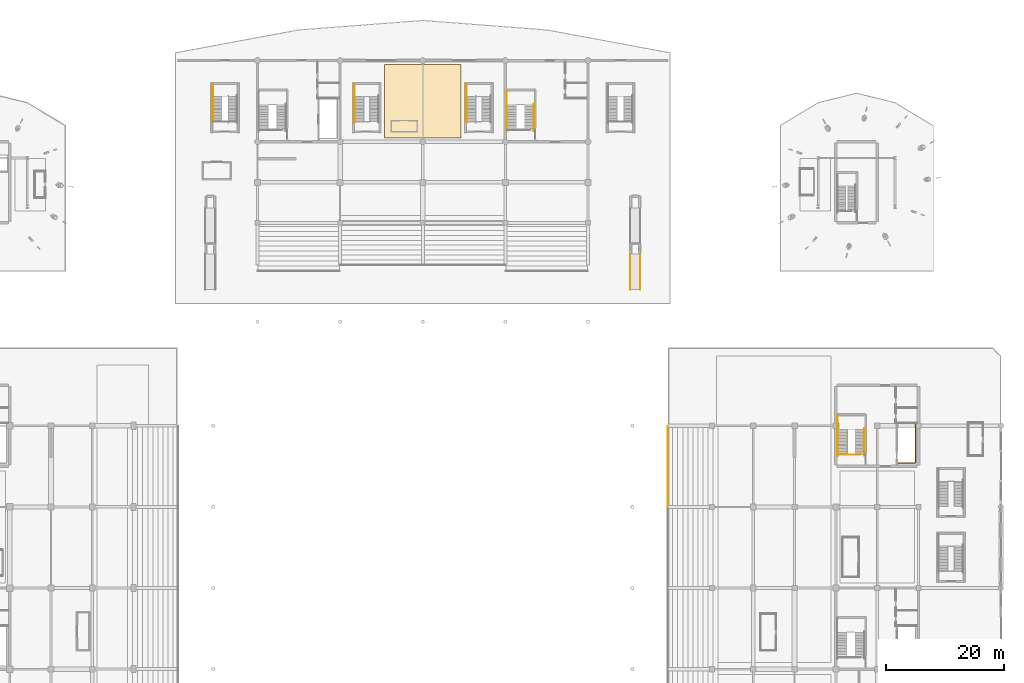
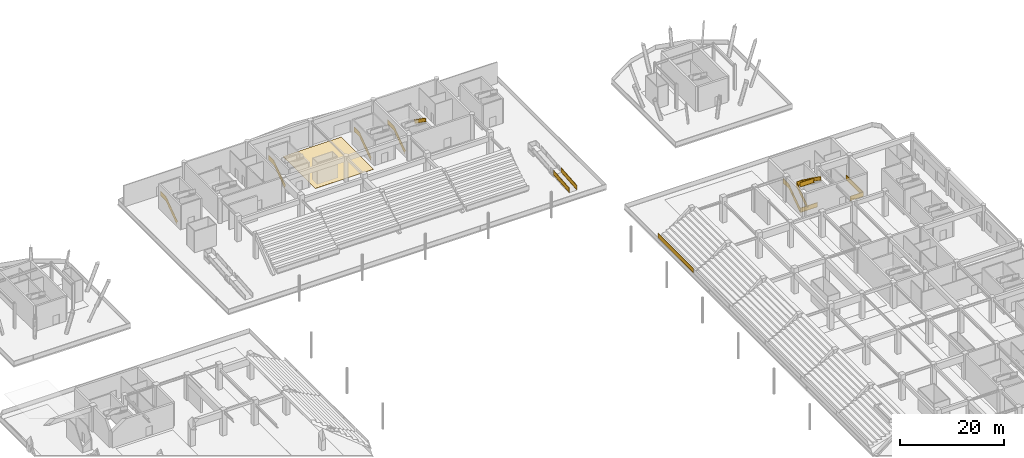
# One storey, part 71 of 73: 13 railings, 1 covering.
"""IFC4 building model written with IfcOpenShell, lengths in metres."""

from ifc_helpers import new_model, si_unit, direction, frame, origin, origin_2d, place, context, subcontext, project, spatial, polyline, rectangle, outline, extrude, material, layer, layer_set, type_object, element, save


model = new_model("IFC4")

# Units and contexts
model_context = context("Model", 3, precision=1e-05, world=origin(), true_north=direction((0.0, 1.0)))
body_context = subcontext(model_context, "Body", "Model", "MODEL_VIEW")
ifc_project = project(units=[si_unit("LENGTHUNIT", "METRE"), si_unit("AREAUNIT", "SQUARE_METRE"), si_unit("VOLUMEUNIT", "CUBIC_METRE"), si_unit("PLANEANGLEUNIT", "RADIAN"), si_unit("MASSUNIT", "GRAM", prefix="KILO")], contexts=[model_context])

# Site, building, storey
site_placement = place(None, origin())
site = spatial("IfcSite", under=ifc_project, at=site_placement, CompositionType="ELEMENT")
building_placement = place(site_placement, origin())
building = spatial("IfcBuilding", under=site, at=building_placement, Name="Linyun Crest Stadium", CompositionType="ELEMENT")
storey_placement = place(building_placement, origin())
storey = spatial("IfcBuildingStorey", under=building, at=storey_placement, Name="L01", CompositionType="ELEMENT", Elevation=0.0)

# Covering
ifc_material_1 = material(Name="Terrazzo concourse and hospitality floor finish")
ifc_layer = layer(ifc_material_1, 0.02197265625)
ifc_layer_set = layer_set([ifc_layer], Name="Terrazzo concourse and hospitality floor finish")
covering_type = type_object("IfcCoveringType", Name="FLR02", PredefinedType="FLOORING", material=ifc_layer_set)
covering_placement = place(storey_placement, origin())
element("IfcCovering", 1, at=covering_placement, inside=storey, type_object=covering_type, Name="Terrazzo flooring FLR02 15", PredefinedType="FLOORING", context=body_context, shape_type="SweptSolid", body=[
    extrude(outline(polyline([(-6.47998046875, 92.10009765625), (6.47998046875, 92.10009765625), (6.47998046875, 104.550048828125), (-6.47998046875, 104.550048828125), (-6.47998046875, 92.10009765625)])), origin(), (0.0, 0.0, 1.0), 0.02197265625),
])

# Railings
ifc_material_2 = material(Name="Galvanized and powder-coated steel bowl safety barrier", Category="steel")
railing_type_1 = type_object("IfcRailingType", Name="GR02", PredefinedType="GUARDRAIL", material=ifc_material_2)
railing_1_placement = place(storey_placement, frame((41.5, 29.705078125, 1.199951171875)))
element("IfcRailing", 2, at=railing_1_placement, inside=storey, type_object=railing_type_1, Name="Bowl front safety guard GR02 53", PredefinedType="GUARDRAIL", context=body_context, shape_type="SweptSolid", body=[
    extrude(rectangle(XDim=0.06005859375, YDim=0.06005859375, at=origin_2d()), frame((0.0, 0.0, 1.090087890625), z_axis=(0.0, 1.0, 0.0), x_axis=(-1.0, 0.0, 0.0)), (0.0, 0.0, 1.0), 13.58984375),
    extrude(rectangle(XDim=0.030029296875, YDim=1.0, at=origin_2d()), frame((0.0, 0.0, 0.56005859375), z_axis=(0.0, 1.0, 0.0), x_axis=(-1.0, 0.0, 0.0)), (0.0, 0.0, 1.0), 13.58984375),
    extrude(rectangle(XDim=0.06005859375, YDim=0.06005859375, at=origin_2d()), frame((0.0, 0.0, 0.030029296875), z_axis=(0.0, 1.0, 0.0), x_axis=(-1.0, 0.0, 0.0)), (0.0, 0.0, 1.0), 13.58984375),
    extrude(rectangle(XDim=0.050048828125, YDim=0.050048828125, at=origin_2d()), origin(), (0.0, 0.0, 1.0), 1.1201171875),
    extrude(rectangle(XDim=0.050048828125, YDim=0.050048828125, at=origin_2d()), frame((0.0, 2.264892578125, 0.0)), (0.0, 0.0, 1.0), 1.1201171875),
    extrude(rectangle(XDim=0.050048828125, YDim=0.050048828125, at=origin_2d()), frame((0.0, 4.530029296875, 0.0)), (0.0, 0.0, 1.0), 1.1201171875),
    extrude(rectangle(XDim=0.050048828125, YDim=0.050048828125, at=origin_2d()), frame((0.0, 6.794921875, 0.0)), (0.0, 0.0, 1.0), 1.1201171875),
    extrude(rectangle(XDim=0.050048828125, YDim=0.050048828125, at=origin_2d()), frame((0.0, 9.059814453125, 0.0)), (0.0, 0.0, 1.0), 1.1201171875),
    extrude(rectangle(XDim=0.050048828125, YDim=0.050048828125, at=origin_2d()), frame((0.0, 11.324951171875, 0.0)), (0.0, 0.0, 1.0), 1.1201171875),
    extrude(rectangle(XDim=0.050048828125, YDim=0.050048828125, at=origin_2d()), frame((0.0, 13.58984375, 0.0)), (0.0, 0.0, 1.0), 1.1201171875),
])
railing_2_placement = place(storey_placement, frame((80.580078125, 37.090087890625, 0.0)))
element("IfcRailing", 3, at=railing_2_placement, inside=storey, type_object=railing_type_1, Name="Slab edge balustrade GR02 114", PredefinedType="GUARDRAIL", context=body_context, shape_type="SweptSolid", body=[
    extrude(rectangle(XDim=0.06005859375, YDim=0.06005859375, at=origin_2d()), frame((0.0, 0.0, 1.090087890625), z_axis=(1.0, 0.0, 0.0), x_axis=(0.0, 1.0, 0.0)), (0.0, 0.0, 1.0), 2.8798828125),
    extrude(rectangle(XDim=0.030029296875, YDim=1.0, at=origin_2d()), frame((0.0, 0.0, 0.56005859375), z_axis=(1.0, 0.0, 0.0), x_axis=(0.0, 1.0, 0.0)), (0.0, 0.0, 1.0), 2.8798828125),
    extrude(rectangle(XDim=0.06005859375, YDim=0.06005859375, at=origin_2d()), frame((0.0, 0.0, 0.030029296875), z_axis=(1.0, 0.0, 0.0), x_axis=(0.0, 1.0, 0.0)), (0.0, 0.0, 1.0), 2.8798828125),
    extrude(rectangle(XDim=0.06005859375, YDim=0.06005859375, at=origin_2d()), frame((2.8798828125, 0.0, 1.090087890625), z_axis=(0.0, 1.0, 0.0), x_axis=(-1.0, 0.0, 0.0)), (0.0, 0.0, 1.0), 6.5498046875),
    extrude(rectangle(XDim=0.030029296875, YDim=1.0, at=origin_2d()), frame((2.8798828125, 0.0, 0.56005859375), z_axis=(0.0, 1.0, 0.0), x_axis=(-1.0, 0.0, 0.0)), (0.0, 0.0, 1.0), 6.5498046875),
    extrude(rectangle(XDim=0.06005859375, YDim=0.06005859375, at=origin_2d()), frame((2.8798828125, 0.0, 0.030029296875), z_axis=(0.0, 1.0, 0.0), x_axis=(-1.0, 0.0, 0.0)), (0.0, 0.0, 1.0), 6.5498046875),
    extrude(rectangle(XDim=0.050048828125, YDim=0.050048828125, at=origin_2d()), origin(), (0.0, 0.0, 1.0), 1.1201171875),
    extrude(rectangle(XDim=0.050048828125, YDim=0.050048828125, at=origin_2d()), frame((2.8798828125, 0.0, 0.0)), (0.0, 0.0, 1.0), 1.1201171875),
    extrude(rectangle(XDim=0.050048828125, YDim=0.050048828125, at=origin_2d()), frame((2.8798828125, 3.27490234375, 0.0)), (0.0, 0.0, 1.0), 1.1201171875),
    extrude(rectangle(XDim=0.050048828125, YDim=0.050048828125, at=origin_2d()), frame((2.8798828125, 6.5498046875, 0.0)), (0.0, 0.0, 1.0), 1.1201171875),
])
railing_3_placement = place(storey_placement, frame((70.364990234375, 38.4599609375, 0.0)))
element("IfcRailing", 4, at=railing_3_placement, inside=storey, type_object=railing_type_1, Name="Slab edge balustrade GR02 116", PredefinedType="GUARDRAIL", context=body_context, shape_type="SweptSolid", body=[
    extrude(rectangle(XDim=0.06005859375, YDim=0.06005859375, at=origin_2d()), frame((0.0, 0.0, 1.090087890625), z_axis=(1.0, 0.0, 0.0), x_axis=(0.0, 1.0, 0.0)), (0.0, 0.0, 1.0), 3.735107421875),
    extrude(rectangle(XDim=0.030029296875, YDim=1.0, at=origin_2d()), frame((0.0, 0.0, 0.56005859375), z_axis=(1.0, 0.0, 0.0), x_axis=(0.0, 1.0, 0.0)), (0.0, 0.0, 1.0), 3.735107421875),
    extrude(rectangle(XDim=0.06005859375, YDim=0.06005859375, at=origin_2d()), frame((0.0, 0.0, 0.030029296875), z_axis=(1.0, 0.0, 0.0), x_axis=(0.0, 1.0, 0.0)), (0.0, 0.0, 1.0), 3.735107421875),
    extrude(rectangle(XDim=0.050048828125, YDim=0.050048828125, at=origin_2d()), origin(), (0.0, 0.0, 1.0), 1.1201171875),
    extrude(rectangle(XDim=0.050048828125, YDim=0.050048828125, at=origin_2d()), frame((3.735107421875, 0.0, 0.0)), (0.0, 0.0, 1.0), 1.1201171875),
])
ifc_material_3 = material(Name="Painted steel stairwell safety guard", Category="steel")
railing_type_2 = type_object("IfcRailingType", Name="GR03", PredefinedType="GUARDRAIL", material=ifc_material_3)
railing_4_placement = place(storey_placement, frame((70.2548828125, 38.489990234375, 0.0)))
element("IfcRailing", 5, at=railing_4_placement, inside=storey, type_object=railing_type_2, Name="STR-06-L01 outer guard", PredefinedType="GUARDRAIL", context=body_context, shape_type="SweptSolid", body=[
    extrude(rectangle(XDim=0.06005859375, YDim=0.06005859375, at=origin_2d()), frame((0.0, 0.0, 1.090087890625), z_axis=(0.0, 0.816967863265, 0.576683197599), x_axis=(-1.0, 0.0, 0.0)), (0.0, 0.0, 1.0), 5.2021484375),
    extrude(rectangle(XDim=0.030029296875, YDim=1.0, at=origin_2d()), frame((0.0, 0.0, 0.56005859375), z_axis=(0.0, 0.816967863265, 0.576683197599), x_axis=(-1.0, 0.0, 0.0)), (0.0, 0.0, 1.0), 5.2021484375),
    extrude(rectangle(XDim=0.06005859375, YDim=0.06005859375, at=origin_2d()), frame((0.0, 0.0, 0.030029296875), z_axis=(0.0, 0.816967863265, 0.576683197599), x_axis=(-1.0, 0.0, 0.0)), (0.0, 0.0, 1.0), 5.2021484375),
    extrude(rectangle(XDim=0.06005859375, YDim=0.06005859375, at=origin_2d()), frame((0.0, 4.25, 4.090087890625), z_axis=(0.0, 1.0, 0.0), x_axis=(-1.0, 0.0, 0.0)), (0.0, 0.0, 1.0), 2.330078125),
    extrude(rectangle(XDim=0.030029296875, YDim=1.0, at=origin_2d()), frame((0.0, 4.25, 3.56005859375), z_axis=(0.0, 1.0, 0.0), x_axis=(-1.0, 0.0, 0.0)), (0.0, 0.0, 1.0), 2.330078125),
    extrude(rectangle(XDim=0.06005859375, YDim=0.06005859375, at=origin_2d()), frame((0.0, 4.25, 3.030029296875), z_axis=(0.0, 1.0, 0.0), x_axis=(-1.0, 0.0, 0.0)), (0.0, 0.0, 1.0), 2.330078125),
    extrude(rectangle(XDim=0.050048828125, YDim=0.050048828125, at=origin_2d()), origin(), (0.0, 0.0, 1.0), 1.1201171875),
    extrude(rectangle(XDim=0.050048828125, YDim=0.050048828125, at=origin_2d()), frame((0.0, 1.416748046875, 1.0)), (0.0, 0.0, 1.0), 1.1201171875),
    extrude(rectangle(XDim=0.050048828125, YDim=0.050048828125, at=origin_2d()), frame((0.0, 2.833251953125, 2.0)), (0.0, 0.0, 1.0), 1.1201171875),
    extrude(rectangle(XDim=0.050048828125, YDim=0.050048828125, at=origin_2d()), frame((0.0, 4.25, 3.0)), (0.0, 0.0, 1.0), 1.1201171875),
    extrude(rectangle(XDim=0.050048828125, YDim=0.050048828125, at=origin_2d()), frame((0.0, 5.4150390625, 3.0)), (0.0, 0.0, 1.0), 1.1201171875),
    extrude(rectangle(XDim=0.050048828125, YDim=0.050048828125, at=origin_2d()), frame((0.0, 6.580078125, 3.0)), (0.0, 0.0, 1.0), 1.1201171875),
])
railing_5_placement = place(storey_placement, frame((71.89501953125, 38.469970703125, 0.0)))
element("IfcRailing", 6, at=railing_5_placement, inside=storey, type_object=railing_type_2, Name="STR-06-L01 inner well guard", PredefinedType="GUARDRAIL", context=body_context, shape_type="SweptSolid", body=[
    extrude(rectangle(XDim=0.06005859375, YDim=0.06005859375, at=origin_2d()), frame((0.0, 0.0, 1.090087890625), z_axis=(0.0, 0.818241657069, 0.574874412926), x_axis=(-1.0, 0.0, 0.0)), (0.0, 0.0, 1.0), 5.218505859375),
    extrude(rectangle(XDim=0.030029296875, YDim=1.0, at=origin_2d()), frame((0.0, 0.0, 0.56005859375), z_axis=(0.0, 0.818241657069, 0.574874412926), x_axis=(-1.0, 0.0, 0.0)), (0.0, 0.0, 1.0), 5.218505859375),
    extrude(rectangle(XDim=0.06005859375, YDim=0.06005859375, at=origin_2d()), frame((0.0, 0.0, 0.030029296875), z_axis=(0.0, 0.818241657069, 0.574874412926), x_axis=(-1.0, 0.0, 0.0)), (0.0, 0.0, 1.0), 5.218505859375),
    extrude(rectangle(XDim=0.06005859375, YDim=0.06005859375, at=origin_2d()), frame((0.0, 4.27001953125, 4.090087890625), z_axis=(1.0, 0.0, 0.0), x_axis=(0.0, 1.0, 0.0)), (0.0, 0.0, 1.0), 1.3349609375),
    extrude(rectangle(XDim=0.030029296875, YDim=1.0, at=origin_2d()), frame((0.0, 4.27001953125, 3.56005859375), z_axis=(1.0, 0.0, 0.0), x_axis=(0.0, 1.0, 0.0)), (0.0, 0.0, 1.0), 1.3349609375),
    extrude(rectangle(XDim=0.06005859375, YDim=0.06005859375, at=origin_2d()), frame((0.0, 4.27001953125, 3.030029296875), z_axis=(1.0, 0.0, 0.0), x_axis=(0.0, 1.0, 0.0)), (0.0, 0.0, 1.0), 1.3349609375),
    extrude(rectangle(XDim=0.06005859375, YDim=0.06005859375, at=origin_2d()), frame((1.3349609375, 4.27001953125, 4.090087890625), z_axis=(0.0, -0.818241657069, 0.574874412926), x_axis=(1.0, 0.0, 0.0)), (0.0, 0.0, 1.0), 5.218505859375),
    extrude(rectangle(XDim=0.030029296875, YDim=1.0, at=origin_2d()), frame((1.3349609375, 4.27001953125, 3.56005859375), z_axis=(0.0, -0.818241657069, 0.574874412926), x_axis=(1.0, 0.0, 0.0)), (0.0, 0.0, 1.0), 5.218505859375),
    extrude(rectangle(XDim=0.06005859375, YDim=0.06005859375, at=origin_2d()), frame((1.3349609375, 4.27001953125, 3.030029296875), z_axis=(0.0, -0.818241657069, 0.574874412926), x_axis=(1.0, 0.0, 0.0)), (0.0, 0.0, 1.0), 5.218505859375),
    extrude(rectangle(XDim=0.06005859375, YDim=0.06005859375, at=origin_2d()), frame((1.3349609375, 0.0, 7.090087890625), z_axis=(-1.0, 0.0, 0.0), x_axis=(0.0, -1.0, 0.0)), (0.0, 0.0, 1.0), 2.98486328125),
    extrude(rectangle(XDim=0.030029296875, YDim=1.0, at=origin_2d()), frame((1.3349609375, 0.0, 6.56005859375), z_axis=(-1.0, 0.0, 0.0), x_axis=(0.0, -1.0, 0.0)), (0.0, 0.0, 1.0), 2.98486328125),
    extrude(rectangle(XDim=0.06005859375, YDim=0.06005859375, at=origin_2d()), frame((1.3349609375, 0.0, 6.030029296875), z_axis=(-1.0, 0.0, 0.0), x_axis=(0.0, -1.0, 0.0)), (0.0, 0.0, 1.0), 2.98486328125),
    extrude(rectangle(XDim=0.050048828125, YDim=0.050048828125, at=origin_2d()), origin(), (0.0, 0.0, 1.0), 1.1201171875),
    extrude(rectangle(XDim=0.050048828125, YDim=0.050048828125, at=origin_2d()), frame((0.0, 1.42333984375, 1.0)), (0.0, 0.0, 1.0), 1.1201171875),
    extrude(rectangle(XDim=0.050048828125, YDim=0.050048828125, at=origin_2d()), frame((0.0, 2.8466796875, 2.0)), (0.0, 0.0, 1.0), 1.1201171875),
    extrude(rectangle(XDim=0.050048828125, YDim=0.050048828125, at=origin_2d()), frame((0.0, 4.27001953125, 3.0)), (0.0, 0.0, 1.0), 1.1201171875),
    extrude(rectangle(XDim=0.050048828125, YDim=0.050048828125, at=origin_2d()), frame((1.3349609375, 4.27001953125, 3.0)), (0.0, 0.0, 1.0), 1.1201171875),
    extrude(rectangle(XDim=0.050048828125, YDim=0.050048828125, at=origin_2d()), frame((1.3349609375, 2.8466796875, 4.0)), (0.0, 0.0, 1.0), 1.1201171875),
    extrude(rectangle(XDim=0.050048828125, YDim=0.050048828125, at=origin_2d()), frame((1.3349609375, 1.42333984375, 5.0)), (0.0, 0.0, 1.0), 1.1201171875),
    extrude(rectangle(XDim=0.050048828125, YDim=0.050048828125, at=origin_2d()), frame((1.3349609375, 0.0, 6.0)), (0.0, 0.0, 1.0), 1.1201171875),
    extrude(rectangle(XDim=0.050048828125, YDim=0.050048828125, at=origin_2d()), frame((-0.157470703125, 0.0, 6.0)), (0.0, 0.0, 1.0), 1.1201171875),
    extrude(rectangle(XDim=0.050048828125, YDim=0.050048828125, at=origin_2d()), frame((-1.64990234375, 0.0, 6.0)), (0.0, 0.0, 1.0), 1.1201171875),
])
railing_6_placement = place(storey_placement, frame((14.22998046875, 93.489990234375, 0.0)))
element("IfcRailing", 7, at=railing_6_placement, inside=storey, type_object=railing_type_2, Name="STR-08-L01 outer guard", PredefinedType="GUARDRAIL", context=body_context, shape_type="SweptSolid", body=[
    extrude(rectangle(XDim=0.06005859375, YDim=0.06005859375, at=origin_2d()), frame((0.0, 0.0, 1.090087890625), z_axis=(0.0, 0.816967863265, 0.576683197599), x_axis=(-1.0, 0.0, 0.0)), (0.0, 0.0, 1.0), 5.2021484375),
    extrude(rectangle(XDim=0.030029296875, YDim=1.0, at=origin_2d()), frame((0.0, 0.0, 0.56005859375), z_axis=(0.0, 0.816967863265, 0.576683197599), x_axis=(-1.0, 0.0, 0.0)), (0.0, 0.0, 1.0), 5.2021484375),
    extrude(rectangle(XDim=0.06005859375, YDim=0.06005859375, at=origin_2d()), frame((0.0, 0.0, 0.030029296875), z_axis=(0.0, 0.816967863265, 0.576683197599), x_axis=(-1.0, 0.0, 0.0)), (0.0, 0.0, 1.0), 5.2021484375),
    extrude(rectangle(XDim=0.06005859375, YDim=0.06005859375, at=origin_2d()), frame((0.0, 4.25, 4.090087890625), z_axis=(0.0, 1.0, 0.0), x_axis=(-1.0, 0.0, 0.0)), (0.0, 0.0, 1.0), 2.330078125),
    extrude(rectangle(XDim=0.030029296875, YDim=1.0, at=origin_2d()), frame((0.0, 4.25, 3.56005859375), z_axis=(0.0, 1.0, 0.0), x_axis=(-1.0, 0.0, 0.0)), (0.0, 0.0, 1.0), 2.330078125),
    extrude(rectangle(XDim=0.06005859375, YDim=0.06005859375, at=origin_2d()), frame((0.0, 4.25, 3.030029296875), z_axis=(0.0, 1.0, 0.0), x_axis=(-1.0, 0.0, 0.0)), (0.0, 0.0, 1.0), 2.330078125),
    extrude(rectangle(XDim=0.050048828125, YDim=0.050048828125, at=origin_2d()), origin(), (0.0, 0.0, 1.0), 1.1201171875),
    extrude(rectangle(XDim=0.050048828125, YDim=0.050048828125, at=origin_2d()), frame((0.0, 1.416748046875, 1.0)), (0.0, 0.0, 1.0), 1.1201171875),
    extrude(rectangle(XDim=0.050048828125, YDim=0.050048828125, at=origin_2d()), frame((0.0, 2.833251953125, 2.0)), (0.0, 0.0, 1.0), 1.1201171875),
    extrude(rectangle(XDim=0.050048828125, YDim=0.050048828125, at=origin_2d()), frame((0.0, 4.25, 3.0)), (0.0, 0.0, 1.0), 1.1201171875),
    extrude(rectangle(XDim=0.050048828125, YDim=0.050048828125, at=origin_2d()), frame((0.0, 5.4150390625, 3.0)), (0.0, 0.0, 1.0), 1.1201171875),
    extrude(rectangle(XDim=0.050048828125, YDim=0.050048828125, at=origin_2d()), frame((0.0, 6.580078125, 3.0)), (0.0, 0.0, 1.0), 1.1201171875),
])
railing_7_placement = place(storey_placement, frame((-35.570068359375, 94.919921875, 0.0)))
element("IfcRailing", 8, at=railing_7_placement, inside=storey, type_object=railing_type_2, Name="STR-23-L01 outer guard", PredefinedType="GUARDRAIL", context=body_context, shape_type="SweptSolid", body=[
    extrude(rectangle(XDim=0.06005859375, YDim=0.06005859375, at=origin_2d()), frame((0.0, 0.0, 1.090087890625), z_axis=(0.0, 0.816967863265, 0.576683197599), x_axis=(-1.0, 0.0, 0.0)), (0.0, 0.0, 1.0), 5.2021484375),
    extrude(rectangle(XDim=0.030029296875, YDim=1.0, at=origin_2d()), frame((0.0, 0.0, 0.56005859375), z_axis=(0.0, 0.816967863265, 0.576683197599), x_axis=(-1.0, 0.0, 0.0)), (0.0, 0.0, 1.0), 5.2021484375),
    extrude(rectangle(XDim=0.06005859375, YDim=0.06005859375, at=origin_2d()), frame((0.0, 0.0, 0.030029296875), z_axis=(0.0, 0.816967863265, 0.576683197599), x_axis=(-1.0, 0.0, 0.0)), (0.0, 0.0, 1.0), 5.2021484375),
    extrude(rectangle(XDim=0.06005859375, YDim=0.06005859375, at=origin_2d()), frame((0.0, 4.25, 4.090087890625), z_axis=(0.0, 1.0, 0.0), x_axis=(-1.0, 0.0, 0.0)), (0.0, 0.0, 1.0), 2.0),
    extrude(rectangle(XDim=0.030029296875, YDim=1.0, at=origin_2d()), frame((0.0, 4.25, 3.56005859375), z_axis=(0.0, 1.0, 0.0), x_axis=(-1.0, 0.0, 0.0)), (0.0, 0.0, 1.0), 2.0),
    extrude(rectangle(XDim=0.06005859375, YDim=0.06005859375, at=origin_2d()), frame((0.0, 4.25, 3.030029296875), z_axis=(0.0, 1.0, 0.0), x_axis=(-1.0, 0.0, 0.0)), (0.0, 0.0, 1.0), 2.0),
    extrude(rectangle(XDim=0.050048828125, YDim=0.050048828125, at=origin_2d()), origin(), (0.0, 0.0, 1.0), 1.1201171875),
    extrude(rectangle(XDim=0.050048828125, YDim=0.050048828125, at=origin_2d()), frame((0.0, 1.416748046875, 1.0)), (0.0, 0.0, 1.0), 1.1201171875),
    extrude(rectangle(XDim=0.050048828125, YDim=0.050048828125, at=origin_2d()), frame((0.0, 2.833251953125, 2.0)), (0.0, 0.0, 1.0), 1.1201171875),
    extrude(rectangle(XDim=0.050048828125, YDim=0.050048828125, at=origin_2d()), frame((0.0, 4.25, 3.0)), (0.0, 0.0, 1.0), 1.1201171875),
    extrude(rectangle(XDim=0.050048828125, YDim=0.050048828125, at=origin_2d()), frame((0.0, 6.25, 3.0)), (0.0, 0.0, 1.0), 1.1201171875),
])
railing_8_placement = place(storey_placement, frame((-11.570068359375, 94.919921875, 0.0)))
element("IfcRailing", 9, at=railing_8_placement, inside=storey, type_object=railing_type_2, Name="STR-24-L01 outer guard", PredefinedType="GUARDRAIL", context=body_context, shape_type="SweptSolid", body=[
    extrude(rectangle(XDim=0.06005859375, YDim=0.06005859375, at=origin_2d()), frame((0.0, 0.0, 1.090087890625), z_axis=(0.0, 0.816967863265, 0.576683197599), x_axis=(-1.0, 0.0, 0.0)), (0.0, 0.0, 1.0), 5.2021484375),
    extrude(rectangle(XDim=0.030029296875, YDim=1.0, at=origin_2d()), frame((0.0, 0.0, 0.56005859375), z_axis=(0.0, 0.816967863265, 0.576683197599), x_axis=(-1.0, 0.0, 0.0)), (0.0, 0.0, 1.0), 5.2021484375),
    extrude(rectangle(XDim=0.06005859375, YDim=0.06005859375, at=origin_2d()), frame((0.0, 0.0, 0.030029296875), z_axis=(0.0, 0.816967863265, 0.576683197599), x_axis=(-1.0, 0.0, 0.0)), (0.0, 0.0, 1.0), 5.2021484375),
    extrude(rectangle(XDim=0.06005859375, YDim=0.06005859375, at=origin_2d()), frame((0.0, 4.25, 4.090087890625), z_axis=(0.0, 1.0, 0.0), x_axis=(-1.0, 0.0, 0.0)), (0.0, 0.0, 1.0), 2.0),
    extrude(rectangle(XDim=0.030029296875, YDim=1.0, at=origin_2d()), frame((0.0, 4.25, 3.56005859375), z_axis=(0.0, 1.0, 0.0), x_axis=(-1.0, 0.0, 0.0)), (0.0, 0.0, 1.0), 2.0),
    extrude(rectangle(XDim=0.06005859375, YDim=0.06005859375, at=origin_2d()), frame((0.0, 4.25, 3.030029296875), z_axis=(0.0, 1.0, 0.0), x_axis=(-1.0, 0.0, 0.0)), (0.0, 0.0, 1.0), 2.0),
    extrude(rectangle(XDim=0.050048828125, YDim=0.050048828125, at=origin_2d()), origin(), (0.0, 0.0, 1.0), 1.1201171875),
    extrude(rectangle(XDim=0.050048828125, YDim=0.050048828125, at=origin_2d()), frame((0.0, 1.416748046875, 1.0)), (0.0, 0.0, 1.0), 1.1201171875),
    extrude(rectangle(XDim=0.050048828125, YDim=0.050048828125, at=origin_2d()), frame((0.0, 2.833251953125, 2.0)), (0.0, 0.0, 1.0), 1.1201171875),
    extrude(rectangle(XDim=0.050048828125, YDim=0.050048828125, at=origin_2d()), frame((0.0, 4.25, 3.0)), (0.0, 0.0, 1.0), 1.1201171875),
    extrude(rectangle(XDim=0.050048828125, YDim=0.050048828125, at=origin_2d()), frame((0.0, 6.25, 3.0)), (0.0, 0.0, 1.0), 1.1201171875),
])
railing_9_placement = place(storey_placement, frame((7.429931640625, 94.919921875, 0.0)))
element("IfcRailing", 10, at=railing_9_placement, inside=storey, type_object=railing_type_2, Name="STR-25-L01 outer guard", PredefinedType="GUARDRAIL", context=body_context, shape_type="SweptSolid", body=[
    extrude(rectangle(XDim=0.06005859375, YDim=0.06005859375, at=origin_2d()), frame((0.0, 0.0, 1.090087890625), z_axis=(0.0, 0.816967863265, 0.576683197599), x_axis=(-1.0, 0.0, 0.0)), (0.0, 0.0, 1.0), 5.2021484375),
    extrude(rectangle(XDim=0.030029296875, YDim=1.0, at=origin_2d()), frame((0.0, 0.0, 0.56005859375), z_axis=(0.0, 0.816967863265, 0.576683197599), x_axis=(-1.0, 0.0, 0.0)), (0.0, 0.0, 1.0), 5.2021484375),
    extrude(rectangle(XDim=0.06005859375, YDim=0.06005859375, at=origin_2d()), frame((0.0, 0.0, 0.030029296875), z_axis=(0.0, 0.816967863265, 0.576683197599), x_axis=(-1.0, 0.0, 0.0)), (0.0, 0.0, 1.0), 5.2021484375),
    extrude(rectangle(XDim=0.06005859375, YDim=0.06005859375, at=origin_2d()), frame((0.0, 4.25, 4.090087890625), z_axis=(0.0, 1.0, 0.0), x_axis=(-1.0, 0.0, 0.0)), (0.0, 0.0, 1.0), 2.0),
    extrude(rectangle(XDim=0.030029296875, YDim=1.0, at=origin_2d()), frame((0.0, 4.25, 3.56005859375), z_axis=(0.0, 1.0, 0.0), x_axis=(-1.0, 0.0, 0.0)), (0.0, 0.0, 1.0), 2.0),
    extrude(rectangle(XDim=0.06005859375, YDim=0.06005859375, at=origin_2d()), frame((0.0, 4.25, 3.030029296875), z_axis=(0.0, 1.0, 0.0), x_axis=(-1.0, 0.0, 0.0)), (0.0, 0.0, 1.0), 2.0),
    extrude(rectangle(XDim=0.050048828125, YDim=0.050048828125, at=origin_2d()), origin(), (0.0, 0.0, 1.0), 1.1201171875),
    extrude(rectangle(XDim=0.050048828125, YDim=0.050048828125, at=origin_2d()), frame((0.0, 1.416748046875, 1.0)), (0.0, 0.0, 1.0), 1.1201171875),
    extrude(rectangle(XDim=0.050048828125, YDim=0.050048828125, at=origin_2d()), frame((0.0, 2.833251953125, 2.0)), (0.0, 0.0, 1.0), 1.1201171875),
    extrude(rectangle(XDim=0.050048828125, YDim=0.050048828125, at=origin_2d()), frame((0.0, 4.25, 3.0)), (0.0, 0.0, 1.0), 1.1201171875),
    extrude(rectangle(XDim=0.050048828125, YDim=0.050048828125, at=origin_2d()), frame((0.0, 6.25, 3.0)), (0.0, 0.0, 1.0), 1.1201171875),
])
for number, where, name in (
    (11, (35.14990234375, 66.5, 0.0), "RMP-08 guard 1W"),
    (12, (36.85009765625, 66.5, 0.0), "RMP-08 guard 1E"),
):
    element("IfcRailing", number, at=place(storey_placement, frame(where)), inside=storey, type_object=railing_type_2, Name=name, PredefinedType="GUARDRAIL", context=body_context, shape_type="SweptSolid", body=[
        extrude(rectangle(XDim=0.06005859375, YDim=0.06005859375, at=origin_2d()), frame((0.0, 0.0, 1.090087890625), z_axis=(0.0, 0.996545758245, 0.083045479854), x_axis=(-1.0, 0.0, 0.0)), (0.0, 0.0, 1.0), 6.020751953125),
        extrude(rectangle(XDim=0.030029296875, YDim=1.0, at=origin_2d()), frame((0.0, 0.0, 0.56005859375), z_axis=(0.0, 0.996545758245, 0.083045479854), x_axis=(-1.0, 0.0, 0.0)), (0.0, 0.0, 1.0), 6.020751953125),
        extrude(rectangle(XDim=0.06005859375, YDim=0.06005859375, at=origin_2d()), frame((0.0, 0.0, 0.030029296875), z_axis=(0.0, 0.996545758245, 0.083045479854), x_axis=(-1.0, 0.0, 0.0)), (0.0, 0.0, 1.0), 6.020751953125),
        extrude(rectangle(XDim=0.050048828125, YDim=0.050048828125, at=origin_2d()), origin(), (0.0, 0.0, 1.0), 1.1201171875),
        extrude(rectangle(XDim=0.050048828125, YDim=0.050048828125, at=origin_2d()), frame((0.0, 2.0, 0.166748046875)), (0.0, 0.0, 1.0), 1.1201171875),
        extrude(rectangle(XDim=0.050048828125, YDim=0.050048828125, at=origin_2d()), frame((0.0, 4.0, 0.333251953125)), (0.0, 0.0, 1.0), 1.1201171875),
        extrude(rectangle(XDim=0.050048828125, YDim=0.050048828125, at=origin_2d()), frame((0.0, 6.0, 0.5)), (0.0, 0.0, 1.0), 1.1201171875),
    ])
ifc_material_4 = material(Name="Brushed stainless steel tubular handrail", Category="steel")
railing_type_3 = type_object("IfcRailingType", Name="HR01", PredefinedType="HANDRAIL", material=ifc_material_4)
for number, where, name in (
    (13, (74.820068359375, 42.739990234375, 3.0), "STR-06-L01 handrail"),
    (14, (18.820068359375, 97.739990234375, 3.0), "STR-08-L01 handrail"),
):
    element("IfcRailing", number, at=place(storey_placement, frame(where)), inside=storey, type_object=railing_type_3, Name=name, PredefinedType="HANDRAIL", context=body_context, shape_type="SweptSolid", body=[
        extrude(rectangle(XDim=0.06005859375, YDim=0.06005859375, at=origin_2d()), frame((0.0, 0.0, 0.889892578125), z_axis=(0.0, -0.816967863265, 0.576683197599), x_axis=(1.0, 0.0, 0.0)), (0.0, 0.0, 1.0), 5.2021484375),
        extrude(rectangle(XDim=0.030029296875, YDim=0.7998046875, at=origin_2d()), frame((0.0, 0.0, 0.4599609375), z_axis=(0.0, -0.816967863265, 0.576683197599), x_axis=(1.0, 0.0, 0.0)), (0.0, 0.0, 1.0), 5.2021484375),
        extrude(rectangle(XDim=0.06005859375, YDim=0.06005859375, at=origin_2d()), frame((0.0, 0.0, 0.030029296875), z_axis=(0.0, -0.816967863265, 0.576683197599), x_axis=(1.0, 0.0, 0.0)), (0.0, 0.0, 1.0), 5.2021484375),
        extrude(rectangle(XDim=0.050048828125, YDim=0.050048828125, at=origin_2d()), origin(), (0.0, 0.0, 1.0), 0.919921875),
        extrude(rectangle(XDim=0.050048828125, YDim=0.050048828125, at=origin_2d()), frame((0.0, -1.416748046875, 1.0)), (0.0, 0.0, 1.0), 0.919921875),
        extrude(rectangle(XDim=0.050048828125, YDim=0.050048828125, at=origin_2d()), frame((0.0, -2.833251953125, 2.0)), (0.0, 0.0, 1.0), 0.919921875),
        extrude(rectangle(XDim=0.050048828125, YDim=0.050048828125, at=origin_2d()), frame((0.0, -4.25, 3.0)), (0.0, 0.0, 1.0), 0.919921875),
    ])

save(model, "model.ifc")
